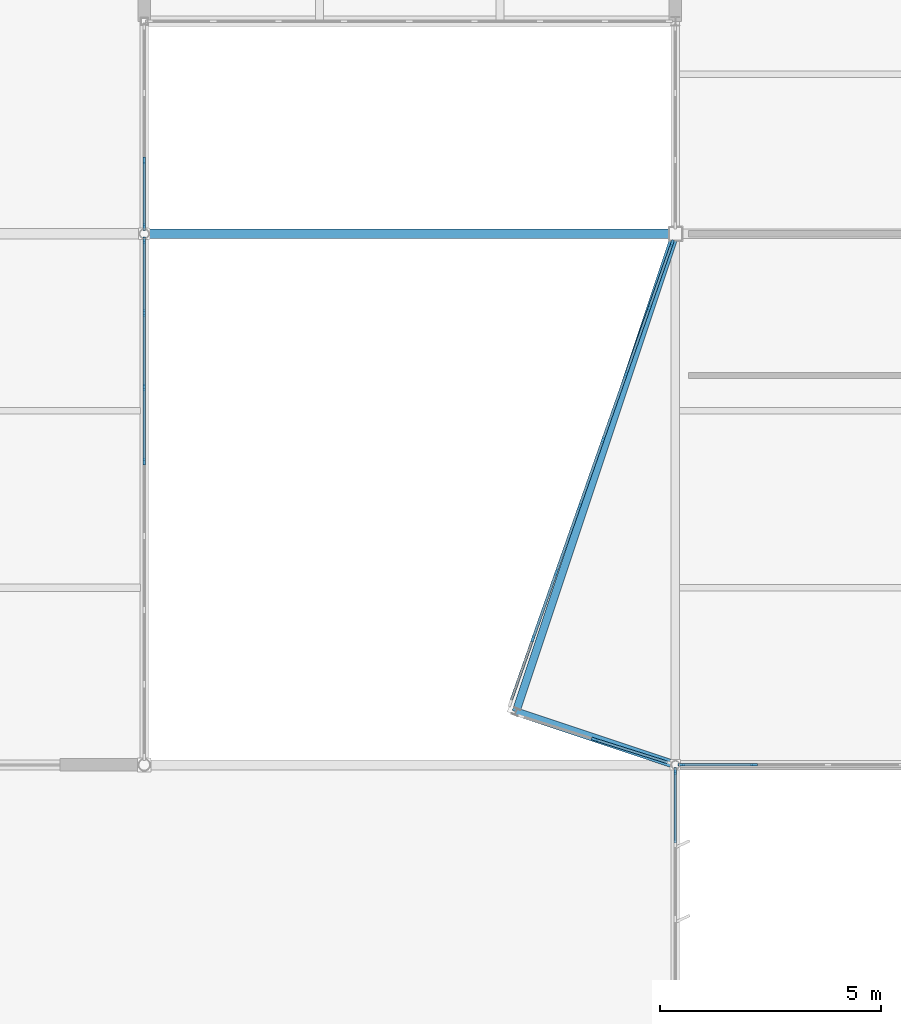
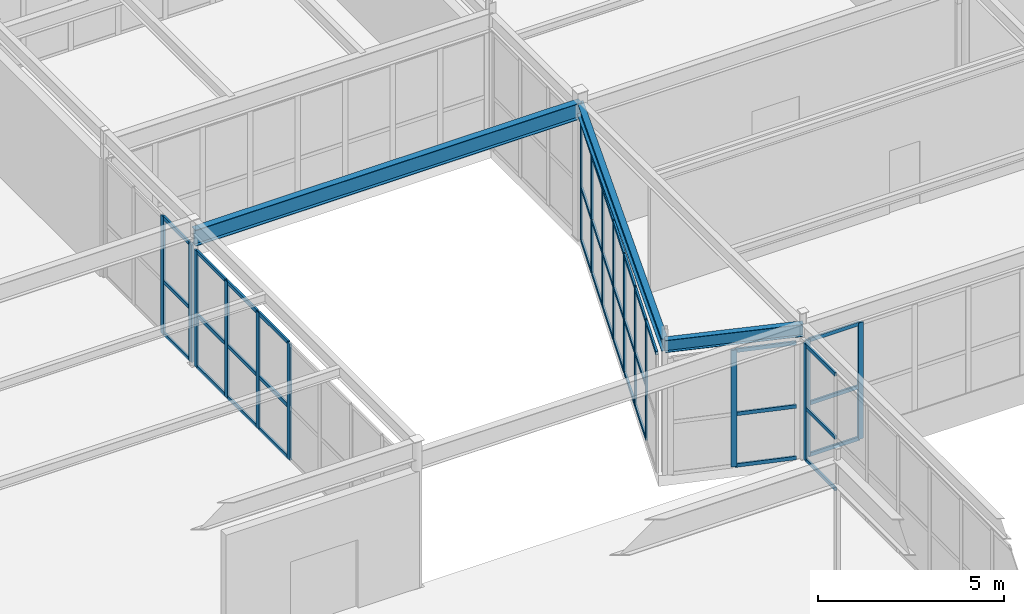
# One storey, part 100 of 186: 57 members, 3 beams, 6 elements without a shape of their own.
"""IFC4 building model written with IfcOpenShell, lengths in metres."""

import ifcopenshell
import ifcopenshell.guid

model = None  # the IFC model being written
_history = None  # IfcOwnerHistory: only IFC2X3 demands one
_inside = {}  # id of a spatial element -> (the spatial element, [elements in it])
_under = {}  # id of a project, library or spatial element -> (it, [spatial elements below it])
_declared = {}  # id of a project -> (the project, [libraries it declares])
_typed = {}  # id of a type object -> (the type object, [elements of that type])
_made_of = {}  # id of a material, layer set ... -> (it, [elements and type objects made of it])


def new_model(schema):
    """Start an empty IFC model of exactly this schema.

    Asked for "IFC4X3", IfcOpenShell would pick the latest addendum, in which some entities
    have other attributes; the version numbers below select the first issue.
    IFC2X3 requires an IfcOwnerHistory on every rooted entity: one is made here for all.
    """
    global model, _history
    if schema == "IFC4X3":
        model = ifcopenshell.file(schema_version=(4, 3, 0, 0))
    else:
        model = ifcopenshell.file(schema=schema)
    _inside.clear()
    _under.clear()
    _declared.clear()
    _typed.clear()
    _made_of.clear()
    _history = None
    if model.schema == "IFC2X3":
        org = make("IfcOrganization", Name="unknown")
        user = make(
            "IfcPersonAndOrganization",
            ThePerson=make("IfcPerson", FamilyName="unknown"),
            TheOrganization=org,
        )
        app = make(
            "IfcApplication",
            ApplicationDeveloper=org,
            Version="unknown",
            ApplicationFullName="unknown",
            ApplicationIdentifier="unknown",
        )
        _history = make(
            "IfcOwnerHistory",
            OwningUser=user,
            OwningApplication=app,
            ChangeAction="ADDED",
            CreationDate=0,
        )
    return model


def make(cls, **values):
    """One entity of the class cls with the attributes given. An attribute that is None is left unset."""
    return model.create_entity(
        cls, **{name: value for name, value in values.items() if value is not None}
    )


def rooted(cls, **values):
    """An entity with a GlobalId (a new one), such as an element, a storey or a relation."""
    return make(cls, GlobalId=ifcopenshell.guid.new(), OwnerHistory=_history, **values)


def si_unit(unit_type, name, prefix=None):
    """IfcSIUnit, for example si_unit("LENGTHUNIT", "METRE", prefix="MILLI")."""
    return make("IfcSIUnit", UnitType=unit_type, Prefix=prefix, Name=name)


def assignment(units):
    """IfcUnitAssignment: the units of a project."""
    return None if units is None else make("IfcUnitAssignment", Units=units)


def point(xyz):
    """IfcCartesianPoint."""
    return None if xyz is None else make("IfcCartesianPoint", Coordinates=xyz)


def direction(xyz):
    """IfcDirection."""
    return None if xyz is None else make("IfcDirection", DirectionRatios=xyz)


def frame(location, z_axis=None, x_axis=None):
    """IfcAxis2Placement3D, a coordinate frame: its origin and axes. An axis left out is left unset."""
    return make(
        "IfcAxis2Placement3D",
        Location=point(location),
        Axis=direction(z_axis),
        RefDirection=direction(x_axis),
    )


def frame_2d(location, x_axis=None):
    """IfcAxis2Placement2D, a coordinate frame in the plane: its origin and x axis."""
    return make(
        "IfcAxis2Placement2D", Location=point(location), RefDirection=direction(x_axis)
    )


def origin():
    """The frame at (0, 0, 0) with its axes left unset."""
    return frame((0.0, 0.0, 0.0))


def origin_2d():
    """The frame at (0, 0) in the plane with its x axis left unset."""
    return frame_2d((0.0, 0.0))


def place(relative_to, where):
    """IfcLocalPlacement: puts the frame where relative to a parent placement (None: the world)."""
    return make(
        "IfcLocalPlacement", PlacementRelTo=relative_to, RelativePlacement=where
    )


def context(
    kind, dimensions, precision=None, world=None, true_north=None, identifier=None
):
    """IfcGeometricRepresentationContext, for example the 3D "Model" context."""
    return make(
        "IfcGeometricRepresentationContext",
        ContextIdentifier=identifier,
        ContextType=kind,
        CoordinateSpaceDimension=dimensions,
        Precision=precision,
        WorldCoordinateSystem=world,
        TrueNorth=true_north,
    )


def subcontext(parent, identifier, kind, view, scale=None):
    """IfcGeometricRepresentationSubContext, for example "Body" below "Model"."""
    return make(
        "IfcGeometricRepresentationSubContext",
        ContextIdentifier=identifier,
        ContextType=kind,
        ParentContext=parent,
        TargetScale=scale,
        TargetView=view,
    )


def project(units=None, contexts=None):
    """IfcProject with its units and contexts."""
    return rooted(
        "IfcProject",
        Name="project",
        RepresentationContexts=contexts,
        UnitsInContext=assignment(units),
    )


def spatial(cls, under=None, at=None, **own):
    """A site, building, storey or space (cls), placed at a placement, below another one or the project."""
    s = rooted(cls, ObjectPlacement=at, **own)
    if under is not None:
        _under.setdefault(under.id(), (under, []))[1].append(s)
    return s


def profile(cls, at=None, kind="AREA", **sizes):
    """A parametric profile (cls). Its sizes go by their IFC names, for example OverallWidth=200.0."""
    return make(cls, ProfileType=kind, Position=at, **sizes)


def rectangle(**sizes):
    """IfcRectangleProfileDef."""
    return profile("IfcRectangleProfileDef", **sizes)


def i_section(**sizes):
    """IfcIShapeProfileDef."""
    return profile("IfcIShapeProfileDef", **sizes)


def extrude(swept, where, along, depth):
    """IfcExtrudedAreaSolid: the profile swept, set in the frame where, extruded along a direction by depth."""
    return make(
        "IfcExtrudedAreaSolid",
        SweptArea=swept,
        Position=where,
        ExtrudedDirection=direction(along),
        Depth=depth,
    )


def shape(context_of_items, identifier, shape_type, items):
    """IfcShapeRepresentation: the items that make up one representation, for example the "Body"."""
    return make(
        "IfcShapeRepresentation",
        ContextOfItems=context_of_items,
        RepresentationIdentifier=identifier,
        RepresentationType=shape_type,
        Items=items,
    )


def material(Name=None, Category=None):
    """IfcMaterial."""
    return make("IfcMaterial", Name=Name, Category=Category)


def layer(
    of_material, thickness, ventilated=None, Name=None, Category=None, Priority=None
):
    """IfcMaterialLayer: one layer of a wall or slab, of a material (None: an air gap)."""
    return make(
        "IfcMaterialLayer",
        Material=of_material,
        LayerThickness=thickness,
        IsVentilated=ventilated,
        Name=Name,
        Category=Category,
        Priority=Priority,
    )


def layer_set(layers, Name=None):
    """IfcMaterialLayerSet."""
    return make("IfcMaterialLayerSet", MaterialLayers=layers, LayerSetName=Name)


def material_profile(
    of_material, cross_section, Name=None, Category=None, Priority=None
):
    """IfcMaterialProfile: a cross section and its material."""
    return make(
        "IfcMaterialProfile",
        Name=Name,
        Material=of_material,
        Profile=cross_section,
        Priority=Priority,
        Category=Category,
    )


def profile_set(profiles, Name=None, composite=None):
    """IfcMaterialProfileSet."""
    return make(
        "IfcMaterialProfileSet",
        Name=Name,
        MaterialProfiles=profiles,
        CompositeProfile=composite,
    )


def made_of(thing, what):
    """Note that an element or type object is made of a material, layer set ...; save() writes the relation."""
    if what is not None:
        _made_of.setdefault(what.id(), (what, []))[1].append(thing)
    return thing


def type_object(cls, material=None, **own):
    """A type object (cls), such as IfcWallType, which elements share."""
    return made_of(rooted(cls, **own), material)


def element(
    cls,
    number,
    at=None,
    inside=None,
    cuts=None,
    type_object=None,
    material=None,
    context=None,
    identifier="Body",
    shape_type=None,
    held_by="IfcProductDefinitionShape",
    body=None,
    shapes=None,
    **own,
):
    """One element of the class cls, such as IfcWall. Its Tag is "e" and its number.

    at: its placement. inside: the storey or other place that contains it. cuts: it is an
    opening in that element (IfcRelVoidsElement). A single representation is given by context,
    identifier, shape_type and body (its items); several are given by shapes. held_by: the class
    of the entity that holds the representations. save() writes the other relations.
    """
    e = rooted(cls, Tag="e%d" % number, ObjectPlacement=at, **own)
    if body is not None:
        shapes = [shape(context, identifier, shape_type, body)]
    if shapes is not None:
        e.Representation = make(held_by, Representations=shapes)
    if inside is not None:
        _inside.setdefault(inside.id(), (inside, []))[1].append(e)
    if cuts is not None:
        rooted(
            "IfcRelVoidsElement", RelatingBuildingElement=cuts, RelatedOpeningElement=e
        )
    if type_object is not None:
        _typed.setdefault(type_object.id(), (type_object, []))[1].append(e)
    return made_of(e, material)


def aggregate(whole, parts):
    """IfcRelAggregates: a whole, such as a stair, and the parts it consists of."""
    return rooted("IfcRelAggregates", RelatingObject=whole, RelatedObjects=parts)


def save(model, path):
    """Write the relations noted so far, then the file.

    IfcRelAggregates (storeys below a building ...), IfcRelContainedInSpatialStructure (elements
    in a storey), IfcRelDefinesByType, IfcRelAssociatesMaterial and IfcRelDeclares: one each for
    every whole, place, type object, material and project.
    """
    for whole, parts in _under.values():
        aggregate(whole, parts)
    for where, things in _inside.values():
        rooted(
            "IfcRelContainedInSpatialStructure",
            RelatedElements=things,
            RelatingStructure=where,
        )
    for kind, things in _typed.values():
        rooted("IfcRelDefinesByType", RelatedObjects=things, RelatingType=kind)
    for what, things in _made_of.values():
        rooted("IfcRelAssociatesMaterial", RelatedObjects=things, RelatingMaterial=what)
    for by, libraries in _declared.values():
        rooted("IfcRelDeclares", RelatingContext=by, RelatedDefinitions=libraries)
    model.write(path)


model = new_model("IFC4")

# Units and contexts
model_context = context("Model", 3, precision=1e-05, world=origin(), true_north=direction((0.0, 1.0)))
body_context = subcontext(model_context, "Body", "Model", "MODEL_VIEW")
ifc_project = project(units=[si_unit("LENGTHUNIT", "METRE"), si_unit("AREAUNIT", "SQUARE_METRE"), si_unit("VOLUMEUNIT", "CUBIC_METRE"), si_unit("PLANEANGLEUNIT", "RADIAN"), si_unit("MASSUNIT", "GRAM", prefix="KILO")], contexts=[model_context])

# Site, building, storey
site_placement = place(None, origin())
site = spatial("IfcSite", under=ifc_project, at=site_placement, CompositionType="ELEMENT")
building_placement = place(site_placement, origin())
building = spatial("IfcBuilding", under=site, at=building_placement, Name="Tarnwether General Hospital", CompositionType="ELEMENT")
storey_placement = place(building_placement, frame((0.0, 0.0, 9.60009765625)))
storey = spatial("IfcBuildingStorey", under=building, at=storey_placement, Name="L02", CompositionType="ELEMENT", Elevation=9.60009765625)

# Beams
ifc_material_1 = material(Name="Steel Grade 350 (350 MPa)", Category="steel")
ifc_material_profile_1 = material_profile(ifc_material_1, i_section(OverallWidth=0.208984375, OverallDepth=0.532958984375, WebThickness=0.01025390625, FlangeThickness=0.015625, at=origin_2d()), Name="530UB92.4")
ifc_profile_set_1 = profile_set([ifc_material_profile_1], Name="Steel Grade 350 (350 MPa)")
beam_type_1 = type_object("IfcBeamType", Name="BM-G06", PredefinedType="BEAM", material=ifc_profile_set_1)
beam_1_placement = place(storey_placement, frame((132.0, 93.60009765625, 4.178466796875), z_axis=(1.0, 0.0, 0.0), x_axis=(0.0, 1.0, 0.0)))
element("IfcBeam", 1, at=beam_1_placement, inside=storey, type_object=beam_type_1, Name="Primary Girder BMG-L02-13200_9360-14400_9360-1560", PredefinedType="BEAM", context=body_context, shape_type="SweptSolid", body=[
    extrude(i_section(OverallWidth=0.208984375, OverallDepth=0.532958984375, WebThickness=0.01025390625, FlangeThickness=0.015625, at=origin_2d()), origin(), (0.0, 0.0, 1.0), 12.0),
])
ifc_material_2 = material(Name="Steel Grade 350 (350 MPa)", Category="steel")
ifc_material_profile_2 = material_profile(ifc_material_2, i_section(OverallWidth=0.177978515625, OverallDepth=0.403076171875, WebThickness=0.007568359375, FlangeThickness=0.010986328125, at=origin_2d()), Name="410UB53.7")
ifc_profile_set_2 = profile_set([ifc_material_profile_2], Name="Steel Grade 350 (350 MPa)")
beam_type_2 = type_object("IfcBeamType", Name="BM-SP2", PredefinedType="SPANDREL", material=ifc_profile_set_2)
beam_2_placement = place(storey_placement, frame((144.0, 81.60009765625, 4.228515625), z_axis=(-0.948689731394, 0.316208465333, 0.0), x_axis=(-0.316208465333, -0.948689731394, 0.0)))
element("IfcBeam", 2, at=beam_2_placement, inside=storey, type_object=beam_type_2, Name="Forecourt North Shard Tie BMG-L02-14400_8160-14040_8280-2234", PredefinedType="SPANDREL", context=body_context, shape_type="SweptSolid", body=[
    extrude(i_section(OverallWidth=0.177978515625, OverallDepth=0.403076171875, WebThickness=0.007568359375, FlangeThickness=0.010986328125, at=origin_2d()), origin(), (0.0, 0.0, 1.0), 3.794921875),
])
beam_3_placement = place(storey_placement, frame((140.39990234375, 82.800048828125, 4.228515625), z_axis=(0.316234199636, 0.948681153486, 0.0), x_axis=(-0.948681153486, 0.316234199636, 0.0)))
element("IfcBeam", 3, at=beam_3_placement, inside=storey, type_object=beam_type_2, Name="Forecourt North Shard Girder BMG-L02-14040_8280-14400_9360-2235", PredefinedType="SPANDREL", context=body_context, shape_type="SweptSolid", body=[
    extrude(i_section(OverallWidth=0.177978515625, OverallDepth=0.403076171875, WebThickness=0.007568359375, FlangeThickness=0.010986328125, at=origin_2d()), origin(), (0.0, 0.0, 1.0), 11.38427734375),
])

# Curtain wall, member
ifc_material_3 = material(Name="Anodised aluminium", Category="aluminium")
ifc_layer_1 = layer(ifc_material_3, 0.179931640625)
ifc_layer_set_1 = layer_set([ifc_layer_1], Name="Anodised aluminium")
curtain_wall_type_1 = type_object("IfcCurtainWallType", Name="CW-06", PredefinedType="NOTDEFINED", material=ifc_layer_set_1)
curtain_wall_1_placement = place(storey_placement, origin())
curtain_wall_1 = element("IfcCurtainWall", 4, at=curtain_wall_1_placement, inside=storey, type_object=curtain_wall_type_1, Name="Curtain Wall CWG-L02-1440_815-0416", PredefinedType="NOTDEFINED")
ifc_material_4 = material(Name="Anodised aluminium", Category="aluminium")
ifc_material_profile_3 = material_profile(ifc_material_4, rectangle(XDim=0.06005859375, YDim=0.159912109375, at=origin_2d()), Name="ALU-MUL-60x160")
ifc_profile_set_3 = profile_set([ifc_material_profile_3], Name="Anodised aluminium")
member_type_1 = type_object("IfcMemberType", Name="CW-ML1", PredefinedType="MULLION", material=ifc_profile_set_3)
member_1_placement = place(storey_placement, frame((144.0, 81.465087890625, 0.0), z_axis=(0.0, 0.0, 1.0), x_axis=(1.0, 0.0, 0.0)))
member_1 = element("IfcMember", 5, at=member_1_placement, type_object=member_type_1, Name="CW-06 mullion 1", PredefinedType="MULLION", context=body_context, shape_type="SweptSolid", body=[
    extrude(rectangle(XDim=0.06005859375, YDim=0.159912109375, at=origin_2d()), origin(), (0.0, 0.0, 1.0), 3.827880859375),
])

# Curtain wall, members
ifc_material_5 = material(Name="Anodised aluminium", Category="aluminium")
ifc_layer_2 = layer(ifc_material_5, 0.159912109375)
ifc_layer_set_2 = layer_set([ifc_layer_2], Name="Anodised aluminium")
curtain_wall_type_2 = type_object("IfcCurtainWallType", Name="CW-15", PredefinedType="NOTDEFINED", material=ifc_layer_set_2)
curtain_wall_2_placement = place(storey_placement, origin())
curtain_wall_2 = element("IfcCurtainWall", 6, at=curtain_wall_2_placement, inside=storey, type_object=curtain_wall_type_2, Name="Curtain Wall CWG-L02-1320_983-0443", PredefinedType="NOTDEFINED")
member_2_placement = place(storey_placement, frame((132.0, 95.2509765625, 0.0), z_axis=(0.0, 0.0, 1.0), x_axis=(1.0, 0.0, 0.0)))
member_2 = element("IfcMember", 7, at=member_2_placement, type_object=member_type_1, Name="CW-15 mullion 3", PredefinedType="MULLION", context=body_context, shape_type="SweptSolid", body=[
    extrude(rectangle(XDim=0.06005859375, YDim=0.159912109375, at=origin_2d()), origin(), (0.0, 0.0, 1.0), 3.86279296875),
])
member_3_placement = place(storey_placement, frame((132.0, 93.748046875, 0.0), z_axis=(0.0, 0.0, 1.0), x_axis=(1.0, 0.0, 0.0)))
member_3 = element("IfcMember", 8, at=member_3_placement, type_object=member_type_1, Name="CW-15 mullion 4", PredefinedType="MULLION", context=body_context, shape_type="SweptSolid", body=[
    extrude(rectangle(XDim=0.06005859375, YDim=0.159912109375, at=origin_2d()), origin(), (0.0, 0.0, 1.0), 3.86279296875),
])

curtain_wall_3_placement = place(storey_placement, origin())
curtain_wall_3 = element("IfcCurtainWall", 9, at=curtain_wall_3_placement, inside=storey, type_object=curtain_wall_type_2, Name="Curtain Wall CWG-L02-1320_935-0444", PredefinedType="NOTDEFINED")
member_4_placement = place(storey_placement, frame((132.0, 93.451904296875, 0.0), z_axis=(0.0, 0.0, 1.0), x_axis=(1.0, 0.0, 0.0)))
member_4 = element("IfcMember", 10, at=member_4_placement, type_object=member_type_1, Name="CW-15 mullion 1", PredefinedType="MULLION", context=body_context, shape_type="SweptSolid", body=[
    extrude(rectangle(XDim=0.06005859375, YDim=0.159912109375, at=origin_2d()), origin(), (0.0, 0.0, 1.0), 3.827880859375),
])
member_5_placement = place(storey_placement, frame((132.0, 91.80517578125, 0.0), z_axis=(0.0, 0.0, 1.0), x_axis=(1.0, 0.0, 0.0)))
member_5 = element("IfcMember", 11, at=member_5_placement, type_object=member_type_1, Name="CW-15 mullion 2", PredefinedType="MULLION", context=body_context, shape_type="SweptSolid", body=[
    extrude(rectangle(XDim=0.06005859375, YDim=0.159912109375, at=origin_2d()), origin(), (0.0, 0.0, 1.0), 3.827880859375),
])
member_6_placement = place(storey_placement, frame((132.0, 90.128662109375, 0.0), z_axis=(0.0, 0.0, 1.0), x_axis=(1.0, 0.0, 0.0)))
member_6 = element("IfcMember", 12, at=member_6_placement, type_object=member_type_1, Name="CW-15 mullion 3", PredefinedType="MULLION", context=body_context, shape_type="SweptSolid", body=[
    extrude(rectangle(XDim=0.06005859375, YDim=0.159912109375, at=origin_2d()), origin(), (0.0, 0.0, 1.0), 3.827880859375),
])
member_7_placement = place(storey_placement, frame((132.0, 88.451904296875, 0.0), z_axis=(0.0, 0.0, 1.0), x_axis=(1.0, 0.0, 0.0)))
member_7 = element("IfcMember", 13, at=member_7_placement, type_object=member_type_1, Name="CW-15 mullion 4", PredefinedType="MULLION", context=body_context, shape_type="SweptSolid", body=[
    extrude(rectangle(XDim=0.06005859375, YDim=0.159912109375, at=origin_2d()), origin(), (0.0, 0.0, 1.0), 3.827880859375),
])

# Curtain wall, member
curtain_wall_4_placement = place(storey_placement, origin())
curtain_wall_4 = element("IfcCurtainWall", 14, at=curtain_wall_4_placement, inside=storey, type_object=curtain_wall_type_2, Name="Curtain Wall CWG-L02-1439_816-0445", PredefinedType="NOTDEFINED")
member_8_placement = place(storey_placement, frame((142.178955078125, 82.175048828125, 0.0), z_axis=(0.0, 0.0, 1.0), x_axis=(-0.301185152538, -0.953565678855, 0.0)))
member_8 = element("IfcMember", 15, at=member_8_placement, type_object=member_type_1, Name="CW-15 mullion 2", PredefinedType="MULLION", context=body_context, shape_type="SweptSolid", body=[
    extrude(rectangle(XDim=0.06005859375, YDim=0.159912109375, at=origin_2d()), origin(), (0.0, 0.0, 1.0), 3.827880859375),
])

# Curtain wall, members
curtain_wall_5_placement = place(storey_placement, origin())
curtain_wall_5 = element("IfcCurtainWall", 16, at=curtain_wall_5_placement, inside=storey, type_object=curtain_wall_type_2, Name="Curtain Wall CWG-L02-1403_830-0446", PredefinedType="NOTDEFINED")
member_9_placement = place(storey_placement, frame((140.783203125, 84.45654296875, 0.0), z_axis=(0.0, 0.0, 1.0), x_axis=(-0.943316578617, 0.33189430924, 0.0)))
member_9 = element("IfcMember", 17, at=member_9_placement, type_object=member_type_1, Name="CW-15 mullion 2", PredefinedType="MULLION", context=body_context, shape_type="SweptSolid", body=[
    extrude(rectangle(XDim=0.06005859375, YDim=0.159912109375, at=origin_2d()), origin(), (0.0, 0.0, 1.0), 3.89697265625),
])
member_10_placement = place(storey_placement, frame((141.308349609375, 85.94921875, 0.0), z_axis=(0.0, 0.0, 1.0), x_axis=(-0.943316578617, 0.33189430924, 0.0)))
member_10 = element("IfcMember", 18, at=member_10_placement, type_object=member_type_1, Name="CW-15 mullion 3", PredefinedType="MULLION", context=body_context, shape_type="SweptSolid", body=[
    extrude(rectangle(XDim=0.06005859375, YDim=0.159912109375, at=origin_2d()), origin(), (0.0, 0.0, 1.0), 3.89697265625),
])
member_11_placement = place(storey_placement, frame((141.83349609375, 87.441650390625, 0.0), z_axis=(0.0, 0.0, 1.0), x_axis=(-0.943316578617, 0.33189430924, 0.0)))
member_11 = element("IfcMember", 19, at=member_11_placement, type_object=member_type_1, Name="CW-15 mullion 4", PredefinedType="MULLION", context=body_context, shape_type="SweptSolid", body=[
    extrude(rectangle(XDim=0.06005859375, YDim=0.159912109375, at=origin_2d()), origin(), (0.0, 0.0, 1.0), 3.89697265625),
])
member_12_placement = place(storey_placement, frame((142.358642578125, 88.934326171875, 0.0), z_axis=(0.0, 0.0, 1.0), x_axis=(-0.943316578617, 0.33189430924, 0.0)))
member_12 = element("IfcMember", 20, at=member_12_placement, type_object=member_type_1, Name="CW-15 mullion 5", PredefinedType="MULLION", context=body_context, shape_type="SweptSolid", body=[
    extrude(rectangle(XDim=0.06005859375, YDim=0.159912109375, at=origin_2d()), origin(), (0.0, 0.0, 1.0), 3.89697265625),
])
member_13_placement = place(storey_placement, frame((142.8837890625, 90.4267578125, 0.0), z_axis=(0.0, 0.0, 1.0), x_axis=(-0.943316578617, 0.33189430924, 0.0)))
member_13 = element("IfcMember", 21, at=member_13_placement, type_object=member_type_1, Name="CW-15 mullion 6", PredefinedType="MULLION", context=body_context, shape_type="SweptSolid", body=[
    extrude(rectangle(XDim=0.06005859375, YDim=0.159912109375, at=origin_2d()), origin(), (0.0, 0.0, 1.0), 3.89697265625),
])
member_14_placement = place(storey_placement, frame((143.408935546875, 91.91943359375, 0.0), z_axis=(0.0, 0.0, 1.0), x_axis=(-0.943316578617, 0.33189430924, 0.0)))
member_14 = element("IfcMember", 22, at=member_14_placement, type_object=member_type_1, Name="CW-15 mullion 7", PredefinedType="MULLION", context=body_context, shape_type="SweptSolid", body=[
    extrude(rectangle(XDim=0.06005859375, YDim=0.159912109375, at=origin_2d()), origin(), (0.0, 0.0, 1.0), 3.89697265625),
])
member_15_placement = place(storey_placement, frame((143.924072265625, 93.3837890625, 0.0), z_axis=(0.0, 0.0, 1.0), x_axis=(-0.943316578617, 0.33189430924, 0.0)))
member_15 = element("IfcMember", 23, at=member_15_placement, type_object=member_type_1, Name="CW-15 mullion 8", PredefinedType="MULLION", context=body_context, shape_type="SweptSolid", body=[
    extrude(rectangle(XDim=0.06005859375, YDim=0.159912109375, at=origin_2d()), origin(), (0.0, 0.0, 1.0), 3.89697265625),
])

ifc_material_6 = material(Name="Anodised aluminium", Category="aluminium")
ifc_layer_3 = layer(ifc_material_6, 0.159912109375)
ifc_layer_set_3 = layer_set([ifc_layer_3], Name="Anodised aluminium")
curtain_wall_type_3 = type_object("IfcCurtainWallType", Name="CW-17", PredefinedType="NOTDEFINED", material=ifc_layer_set_3)
curtain_wall_6_placement = place(storey_placement, origin())
curtain_wall_6 = element("IfcCurtainWall", 24, at=curtain_wall_6_placement, inside=storey, type_object=curtain_wall_type_3, Name="Curtain Wall CWG-L02-1558_816-0469", PredefinedType="NOTDEFINED")
member_16_placement = place(storey_placement, frame((145.77783203125, 81.60009765625, 0.0), z_axis=(0.0, 0.0, 1.0), x_axis=(0.0, -1.0, 0.0)))
member_16 = element("IfcMember", 25, at=member_16_placement, type_object=member_type_1, Name="CW-17 mullion 7", PredefinedType="MULLION", context=body_context, shape_type="SweptSolid", body=[
    extrude(rectangle(XDim=0.06005859375, YDim=0.159912109375, at=origin_2d()), origin(), (0.0, 0.0, 1.0), 3.827880859375),
])
member_17_placement = place(storey_placement, frame((144.135009765625, 81.60009765625, 0.0), z_axis=(0.0, 0.0, 1.0), x_axis=(0.0, -1.0, 0.0)))
member_17 = element("IfcMember", 26, at=member_17_placement, type_object=member_type_1, Name="CW-17 mullion 8", PredefinedType="MULLION", context=body_context, shape_type="SweptSolid", body=[
    extrude(rectangle(XDim=0.06005859375, YDim=0.159912109375, at=origin_2d()), origin(), (0.0, 0.0, 1.0), 3.827880859375),
])

# Member
ifc_material_7 = material(Name="Anodised aluminium", Category="aluminium")
ifc_material_profile_4 = material_profile(ifc_material_7, rectangle(XDim=0.06005859375, YDim=0.1201171875, at=origin_2d()), Name="ALU-TRN-60x120")
ifc_profile_set_4 = profile_set([ifc_material_profile_4], Name="Anodised aluminium")
member_type_2 = type_object("IfcMemberType", Name="CW-TR1", PredefinedType="USERDEFINED", material=ifc_profile_set_4)
member_18_placement = place(storey_placement, frame((144.0, 81.43505859375, 0.02978515625), z_axis=(0.0, -1.0, 0.0), x_axis=(1.0, 0.0, 0.0)))
member_18 = element("IfcMember", 27, at=member_18_placement, type_object=member_type_2, Name="CW-06 transom 1.1", ObjectType="TRANSOM", PredefinedType="USERDEFINED", context=body_context, shape_type="SweptSolid", body=[
    extrude(rectangle(XDim=0.06005859375, YDim=0.1201171875, at=origin_2d()), origin(), (0.0, 0.0, 1.0), 1.5966796875),
])

member_19_placement = place(storey_placement, frame((144.0, 81.43505859375, 1.722412109375), z_axis=(0.0, -1.0, 0.0), x_axis=(1.0, 0.0, 0.0)))
member_19 = element("IfcMember", 28, at=member_19_placement, type_object=member_type_2, Name="CW-06 transom 1.2", ObjectType="TRANSOM", PredefinedType="USERDEFINED", context=body_context, shape_type="SweptSolid", body=[
    extrude(rectangle(XDim=0.06005859375, YDim=0.1201171875, at=origin_2d()), origin(), (0.0, 0.0, 1.0), 1.5966796875),
])

member_20_placement = place(storey_placement, frame((144.0, 81.43505859375, 3.7978515625), z_axis=(0.0, -1.0, 0.0), x_axis=(1.0, 0.0, 0.0)))
member_20 = element("IfcMember", 29, at=member_20_placement, type_object=member_type_2, Name="CW-06 transom 1.3", ObjectType="TRANSOM", PredefinedType="USERDEFINED", context=body_context, shape_type="SweptSolid", body=[
    extrude(rectangle(XDim=0.06005859375, YDim=0.1201171875, at=origin_2d()), origin(), (0.0, 0.0, 1.0), 1.5966796875),
])

aggregate(curtain_wall_1, [member_1, member_18, member_19, member_20])

member_21_placement = place(storey_placement, frame((132.0, 95.220947265625, 0.02978515625), z_axis=(0.0, -1.0, 0.0), x_axis=(1.0, 0.0, 0.0)))
member_21 = element("IfcMember", 30, at=member_21_placement, type_object=member_type_2, Name="CW-15 transom 3.1", ObjectType="TRANSOM", PredefinedType="USERDEFINED", context=body_context, shape_type="SweptSolid", body=[
    extrude(rectangle(XDim=0.06005859375, YDim=0.1201171875, at=origin_2d()), origin(), (0.0, 0.0, 1.0), 1.44287109375),
])

member_22_placement = place(storey_placement, frame((132.0, 95.220947265625, 1.73828125), z_axis=(0.0, -1.0, 0.0), x_axis=(1.0, 0.0, 0.0)))
member_22 = element("IfcMember", 31, at=member_22_placement, type_object=member_type_2, Name="CW-15 transom 3.2", ObjectType="TRANSOM", PredefinedType="USERDEFINED", context=body_context, shape_type="SweptSolid", body=[
    extrude(rectangle(XDim=0.06005859375, YDim=0.1201171875, at=origin_2d()), origin(), (0.0, 0.0, 1.0), 1.44287109375),
])

member_23_placement = place(storey_placement, frame((132.0, 95.220947265625, 3.8330078125), z_axis=(0.0, -1.0, 0.0), x_axis=(1.0, 0.0, 0.0)))
member_23 = element("IfcMember", 32, at=member_23_placement, type_object=member_type_2, Name="CW-15 transom 3.3", ObjectType="TRANSOM", PredefinedType="USERDEFINED", context=body_context, shape_type="SweptSolid", body=[
    extrude(rectangle(XDim=0.06005859375, YDim=0.1201171875, at=origin_2d()), origin(), (0.0, 0.0, 1.0), 1.44287109375),
])

aggregate(curtain_wall_2, [member_2, member_3, member_21, member_22, member_23])

member_24_placement = place(storey_placement, frame((132.0, 93.422119140625, 0.02978515625), z_axis=(0.0, -1.0, 0.0), x_axis=(1.0, 0.0, 0.0)))
member_24 = element("IfcMember", 33, at=member_24_placement, type_object=member_type_2, Name="CW-15 transom 1.1", ObjectType="TRANSOM", PredefinedType="USERDEFINED", context=body_context, shape_type="SweptSolid", body=[
    extrude(rectangle(XDim=0.06005859375, YDim=0.1201171875, at=origin_2d()), origin(), (0.0, 0.0, 1.0), 1.5869140625),
])

member_25_placement = place(storey_placement, frame((132.0, 93.422119140625, 1.722412109375), z_axis=(0.0, -1.0, 0.0), x_axis=(1.0, 0.0, 0.0)))
member_25 = element("IfcMember", 34, at=member_25_placement, type_object=member_type_2, Name="CW-15 transom 1.2", ObjectType="TRANSOM", PredefinedType="USERDEFINED", context=body_context, shape_type="SweptSolid", body=[
    extrude(rectangle(XDim=0.06005859375, YDim=0.1201171875, at=origin_2d()), origin(), (0.0, 0.0, 1.0), 1.5869140625),
])

member_26_placement = place(storey_placement, frame((132.0, 93.422119140625, 3.7978515625), z_axis=(0.0, -1.0, 0.0), x_axis=(1.0, 0.0, 0.0)))
member_26 = element("IfcMember", 35, at=member_26_placement, type_object=member_type_2, Name="CW-15 transom 1.3", ObjectType="TRANSOM", PredefinedType="USERDEFINED", context=body_context, shape_type="SweptSolid", body=[
    extrude(rectangle(XDim=0.06005859375, YDim=0.1201171875, at=origin_2d()), origin(), (0.0, 0.0, 1.0), 1.5869140625),
])

member_27_placement = place(storey_placement, frame((132.0, 91.775390625, 0.02978515625), z_axis=(0.0, -1.0, 0.0), x_axis=(1.0, 0.0, 0.0)))
member_27 = element("IfcMember", 36, at=member_27_placement, type_object=member_type_2, Name="CW-15 transom 2.1", ObjectType="TRANSOM", PredefinedType="USERDEFINED", context=body_context, shape_type="SweptSolid", body=[
    extrude(rectangle(XDim=0.06005859375, YDim=0.1201171875, at=origin_2d()), origin(), (0.0, 0.0, 1.0), 1.61669921875),
])

member_28_placement = place(storey_placement, frame((132.0, 91.775390625, 1.722412109375), z_axis=(0.0, -1.0, 0.0), x_axis=(1.0, 0.0, 0.0)))
member_28 = element("IfcMember", 37, at=member_28_placement, type_object=member_type_2, Name="CW-15 transom 2.2", ObjectType="TRANSOM", PredefinedType="USERDEFINED", context=body_context, shape_type="SweptSolid", body=[
    extrude(rectangle(XDim=0.06005859375, YDim=0.1201171875, at=origin_2d()), origin(), (0.0, 0.0, 1.0), 1.61669921875),
])

member_29_placement = place(storey_placement, frame((132.0, 91.775390625, 3.7978515625), z_axis=(0.0, -1.0, 0.0), x_axis=(1.0, 0.0, 0.0)))
member_29 = element("IfcMember", 38, at=member_29_placement, type_object=member_type_2, Name="CW-15 transom 2.3", ObjectType="TRANSOM", PredefinedType="USERDEFINED", context=body_context, shape_type="SweptSolid", body=[
    extrude(rectangle(XDim=0.06005859375, YDim=0.1201171875, at=origin_2d()), origin(), (0.0, 0.0, 1.0), 1.61669921875),
])

member_30_placement = place(storey_placement, frame((132.0, 90.0986328125, 0.02978515625), z_axis=(0.0, -1.0, 0.0), x_axis=(1.0, 0.0, 0.0)))
member_30 = element("IfcMember", 39, at=member_30_placement, type_object=member_type_2, Name="CW-15 transom 3.1", ObjectType="TRANSOM", PredefinedType="USERDEFINED", context=body_context, shape_type="SweptSolid", body=[
    extrude(rectangle(XDim=0.06005859375, YDim=0.1201171875, at=origin_2d()), origin(), (0.0, 0.0, 1.0), 1.61669921875),
])

member_31_placement = place(storey_placement, frame((132.0, 90.0986328125, 1.722412109375), z_axis=(0.0, -1.0, 0.0), x_axis=(1.0, 0.0, 0.0)))
member_31 = element("IfcMember", 40, at=member_31_placement, type_object=member_type_2, Name="CW-15 transom 3.2", ObjectType="TRANSOM", PredefinedType="USERDEFINED", context=body_context, shape_type="SweptSolid", body=[
    extrude(rectangle(XDim=0.06005859375, YDim=0.1201171875, at=origin_2d()), origin(), (0.0, 0.0, 1.0), 1.61669921875),
])

member_32_placement = place(storey_placement, frame((132.0, 90.0986328125, 3.7978515625), z_axis=(0.0, -1.0, 0.0), x_axis=(1.0, 0.0, 0.0)))
member_32 = element("IfcMember", 41, at=member_32_placement, type_object=member_type_2, Name="CW-15 transom 3.3", ObjectType="TRANSOM", PredefinedType="USERDEFINED", context=body_context, shape_type="SweptSolid", body=[
    extrude(rectangle(XDim=0.06005859375, YDim=0.1201171875, at=origin_2d()), origin(), (0.0, 0.0, 1.0), 1.61669921875),
])

aggregate(curtain_wall_3, [member_4, member_5, member_6, member_7, member_24, member_25, member_26, member_27, member_28, member_29, member_30, member_31, member_32])

member_33_placement = place(storey_placement, frame((143.81884765625, 81.656982421875, 0.02978515625), z_axis=(-0.953549906463, 0.301235084087, 0.0), x_axis=(-0.301235084087, -0.953549906463, 0.0)))
member_33 = element("IfcMember", 42, at=member_33_placement, type_object=member_type_2, Name="CW-15 transom 1.1", ObjectType="TRANSOM", PredefinedType="USERDEFINED", context=body_context, shape_type="SweptSolid", body=[
    extrude(rectangle(XDim=0.06005859375, YDim=0.1201171875, at=origin_2d()), origin(), (0.0, 0.0, 1.0), 1.68994140625),
])

member_34_placement = place(storey_placement, frame((143.81884765625, 81.656982421875, 1.722412109375), z_axis=(-0.953549906463, 0.301235084087, 0.0), x_axis=(-0.301235084087, -0.953549906463, 0.0)))
member_34 = element("IfcMember", 43, at=member_34_placement, type_object=member_type_2, Name="CW-15 transom 1.2", ObjectType="TRANSOM", PredefinedType="USERDEFINED", context=body_context, shape_type="SweptSolid", body=[
    extrude(rectangle(XDim=0.06005859375, YDim=0.1201171875, at=origin_2d()), origin(), (0.0, 0.0, 1.0), 1.68994140625),
])

member_35_placement = place(storey_placement, frame((143.81884765625, 81.656982421875, 3.7978515625), z_axis=(-0.953549906463, 0.301235084087, 0.0), x_axis=(-0.301235084087, -0.953549906463, 0.0)))
member_35 = element("IfcMember", 44, at=member_35_placement, type_object=member_type_2, Name="CW-15 transom 1.3", ObjectType="TRANSOM", PredefinedType="USERDEFINED", context=body_context, shape_type="SweptSolid", body=[
    extrude(rectangle(XDim=0.06005859375, YDim=0.1201171875, at=origin_2d()), origin(), (0.0, 0.0, 1.0), 1.68994140625),
])

aggregate(curtain_wall_4, [member_8, member_33, member_34, member_35])

member_36_placement = place(storey_placement, frame((140.27783203125, 83.0205078125, 3.866943359375), z_axis=(0.331938561391, 0.943301007877, 0.0), x_axis=(-0.943301007877, 0.331938561391, 0.0)))
member_36 = element("IfcMember", 45, at=member_36_placement, type_object=member_type_2, Name="CW-15 transom 1.3", ObjectType="TRANSOM", PredefinedType="USERDEFINED", context=body_context, shape_type="SweptSolid", body=[
    extrude(rectangle(XDim=0.06005859375, YDim=0.1201171875, at=origin_2d()), origin(), (0.0, 0.0, 1.0), 1.492431640625),
])

member_37_placement = place(storey_placement, frame((140.793212890625, 84.48486328125, 0.02978515625), z_axis=(0.331821641195, 0.943342142828, 0.0), x_axis=(-0.943342142828, 0.331821641195, 0.0)))
member_37 = element("IfcMember", 46, at=member_37_placement, type_object=member_type_2, Name="CW-15 transom 2.1", ObjectType="TRANSOM", PredefinedType="USERDEFINED", context=body_context, shape_type="SweptSolid", body=[
    extrude(rectangle(XDim=0.06005859375, YDim=0.1201171875, at=origin_2d()), origin(), (0.0, 0.0, 1.0), 1.522216796875),
])

member_38_placement = place(storey_placement, frame((140.793212890625, 84.48486328125, 1.753662109375), z_axis=(0.331821641195, 0.943342142828, 0.0), x_axis=(-0.943342142828, 0.331821641195, 0.0)))
member_38 = element("IfcMember", 47, at=member_38_placement, type_object=member_type_2, Name="CW-15 transom 2.2", ObjectType="TRANSOM", PredefinedType="USERDEFINED", context=body_context, shape_type="SweptSolid", body=[
    extrude(rectangle(XDim=0.06005859375, YDim=0.1201171875, at=origin_2d()), origin(), (0.0, 0.0, 1.0), 1.522216796875),
])

member_39_placement = place(storey_placement, frame((140.793212890625, 84.48486328125, 3.866943359375), z_axis=(0.331821641195, 0.943342142828, 0.0), x_axis=(-0.943342142828, 0.331821641195, 0.0)))
member_39 = element("IfcMember", 48, at=member_39_placement, type_object=member_type_2, Name="CW-15 transom 2.3", ObjectType="TRANSOM", PredefinedType="USERDEFINED", context=body_context, shape_type="SweptSolid", body=[
    extrude(rectangle(XDim=0.06005859375, YDim=0.1201171875, at=origin_2d()), origin(), (0.0, 0.0, 1.0), 1.522216796875),
])

member_40_placement = place(storey_placement, frame((141.318359375, 85.9775390625, 0.02978515625), z_axis=(0.331871849991, 0.943324480327, 0.0), x_axis=(-0.943324480327, 0.331871849991, 0.0)))
member_40 = element("IfcMember", 49, at=member_40_placement, type_object=member_type_2, Name="CW-15 transom 3.1", ObjectType="TRANSOM", PredefinedType="USERDEFINED", context=body_context, shape_type="SweptSolid", body=[
    extrude(rectangle(XDim=0.06005859375, YDim=0.1201171875, at=origin_2d()), origin(), (0.0, 0.0, 1.0), 1.52197265625),
])

member_41_placement = place(storey_placement, frame((141.318359375, 85.9775390625, 1.753662109375), z_axis=(0.331871849991, 0.943324480327, 0.0), x_axis=(-0.943324480327, 0.331871849991, 0.0)))
member_41 = element("IfcMember", 50, at=member_41_placement, type_object=member_type_2, Name="CW-15 transom 3.2", ObjectType="TRANSOM", PredefinedType="USERDEFINED", context=body_context, shape_type="SweptSolid", body=[
    extrude(rectangle(XDim=0.06005859375, YDim=0.1201171875, at=origin_2d()), origin(), (0.0, 0.0, 1.0), 1.52197265625),
])

member_42_placement = place(storey_placement, frame((141.318359375, 85.9775390625, 3.866943359375), z_axis=(0.331871849991, 0.943324480327, 0.0), x_axis=(-0.943324480327, 0.331871849991, 0.0)))
member_42 = element("IfcMember", 51, at=member_42_placement, type_object=member_type_2, Name="CW-15 transom 3.3", ObjectType="TRANSOM", PredefinedType="USERDEFINED", context=body_context, shape_type="SweptSolid", body=[
    extrude(rectangle(XDim=0.06005859375, YDim=0.1201171875, at=origin_2d()), origin(), (0.0, 0.0, 1.0), 1.52197265625),
])

member_43_placement = place(storey_placement, frame((141.843505859375, 87.469970703125, 0.02978515625), z_axis=(0.331821641195, 0.943342142828, 0.0), x_axis=(-0.943342142828, 0.331821641195, 0.0)))
member_43 = element("IfcMember", 52, at=member_43_placement, type_object=member_type_2, Name="CW-15 transom 4.1", ObjectType="TRANSOM", PredefinedType="USERDEFINED", context=body_context, shape_type="SweptSolid", body=[
    extrude(rectangle(XDim=0.06005859375, YDim=0.1201171875, at=origin_2d()), origin(), (0.0, 0.0, 1.0), 1.522216796875),
])

member_44_placement = place(storey_placement, frame((141.843505859375, 87.469970703125, 1.753662109375), z_axis=(0.331821641195, 0.943342142828, 0.0), x_axis=(-0.943342142828, 0.331821641195, 0.0)))
member_44 = element("IfcMember", 53, at=member_44_placement, type_object=member_type_2, Name="CW-15 transom 4.2", ObjectType="TRANSOM", PredefinedType="USERDEFINED", context=body_context, shape_type="SweptSolid", body=[
    extrude(rectangle(XDim=0.06005859375, YDim=0.1201171875, at=origin_2d()), origin(), (0.0, 0.0, 1.0), 1.522216796875),
])

member_45_placement = place(storey_placement, frame((141.843505859375, 87.469970703125, 3.866943359375), z_axis=(0.331821641195, 0.943342142828, 0.0), x_axis=(-0.943342142828, 0.331821641195, 0.0)))
member_45 = element("IfcMember", 54, at=member_45_placement, type_object=member_type_2, Name="CW-15 transom 4.3", ObjectType="TRANSOM", PredefinedType="USERDEFINED", context=body_context, shape_type="SweptSolid", body=[
    extrude(rectangle(XDim=0.06005859375, YDim=0.1201171875, at=origin_2d()), origin(), (0.0, 0.0, 1.0), 1.522216796875),
])

member_46_placement = place(storey_placement, frame((142.368408203125, 88.962646484375, 0.02978515625), z_axis=(0.332014574137, 0.94327425628, 0.0), x_axis=(-0.94327425628, 0.332014574137, 0.0)))
member_46 = element("IfcMember", 55, at=member_46_placement, type_object=member_type_2, Name="CW-15 transom 5.1", ObjectType="TRANSOM", PredefinedType="USERDEFINED", context=body_context, shape_type="SweptSolid", body=[
    extrude(rectangle(XDim=0.06005859375, YDim=0.1201171875, at=origin_2d()), origin(), (0.0, 0.0, 1.0), 1.522216796875),
])

member_47_placement = place(storey_placement, frame((142.368408203125, 88.962646484375, 1.753662109375), z_axis=(0.332014574137, 0.94327425628, 0.0), x_axis=(-0.94327425628, 0.332014574137, 0.0)))
member_47 = element("IfcMember", 56, at=member_47_placement, type_object=member_type_2, Name="CW-15 transom 5.2", ObjectType="TRANSOM", PredefinedType="USERDEFINED", context=body_context, shape_type="SweptSolid", body=[
    extrude(rectangle(XDim=0.06005859375, YDim=0.1201171875, at=origin_2d()), origin(), (0.0, 0.0, 1.0), 1.522216796875),
])

member_48_placement = place(storey_placement, frame((142.368408203125, 88.962646484375, 3.866943359375), z_axis=(0.332014574137, 0.94327425628, 0.0), x_axis=(-0.94327425628, 0.332014574137, 0.0)))
member_48 = element("IfcMember", 57, at=member_48_placement, type_object=member_type_2, Name="CW-15 transom 5.3", ObjectType="TRANSOM", PredefinedType="USERDEFINED", context=body_context, shape_type="SweptSolid", body=[
    extrude(rectangle(XDim=0.06005859375, YDim=0.1201171875, at=origin_2d()), origin(), (0.0, 0.0, 1.0), 1.522216796875),
])

member_49_placement = place(storey_placement, frame((142.8935546875, 90.455078125, 0.02978515625), z_axis=(0.331964349096, 0.943291933035, 0.0), x_axis=(-0.943291933035, 0.331964349096, 0.0)))
member_49 = element("IfcMember", 58, at=member_49_placement, type_object=member_type_2, Name="CW-15 transom 6.1", ObjectType="TRANSOM", PredefinedType="USERDEFINED", context=body_context, shape_type="SweptSolid", body=[
    extrude(rectangle(XDim=0.06005859375, YDim=0.1201171875, at=origin_2d()), origin(), (0.0, 0.0, 1.0), 1.5224609375),
])

member_50_placement = place(storey_placement, frame((142.8935546875, 90.455078125, 1.753662109375), z_axis=(0.331964349096, 0.943291933035, 0.0), x_axis=(-0.943291933035, 0.331964349096, 0.0)))
member_50 = element("IfcMember", 59, at=member_50_placement, type_object=member_type_2, Name="CW-15 transom 6.2", ObjectType="TRANSOM", PredefinedType="USERDEFINED", context=body_context, shape_type="SweptSolid", body=[
    extrude(rectangle(XDim=0.06005859375, YDim=0.1201171875, at=origin_2d()), origin(), (0.0, 0.0, 1.0), 1.5224609375),
])

member_51_placement = place(storey_placement, frame((142.8935546875, 90.455078125, 3.866943359375), z_axis=(0.331964349096, 0.943291933035, 0.0), x_axis=(-0.943291933035, 0.331964349096, 0.0)))
member_51 = element("IfcMember", 60, at=member_51_placement, type_object=member_type_2, Name="CW-15 transom 6.3", ObjectType="TRANSOM", PredefinedType="USERDEFINED", context=body_context, shape_type="SweptSolid", body=[
    extrude(rectangle(XDim=0.06005859375, YDim=0.1201171875, at=origin_2d()), origin(), (0.0, 0.0, 1.0), 1.5224609375),
])

member_52_placement = place(storey_placement, frame((143.418701171875, 91.94775390625, 0.02978515625), z_axis=(0.331938561391, 0.943301007877, 0.0), x_axis=(-0.943301007877, 0.331938561391, 0.0)))
member_52 = element("IfcMember", 61, at=member_52_placement, type_object=member_type_2, Name="CW-15 transom 7.1", ObjectType="TRANSOM", PredefinedType="USERDEFINED", context=body_context, shape_type="SweptSolid", body=[
    extrude(rectangle(XDim=0.06005859375, YDim=0.1201171875, at=origin_2d()), origin(), (0.0, 0.0, 1.0), 1.492431640625),
])

member_53_placement = place(storey_placement, frame((143.418701171875, 91.94775390625, 1.753662109375), z_axis=(0.331938561391, 0.943301007877, 0.0), x_axis=(-0.943301007877, 0.331938561391, 0.0)))
member_53 = element("IfcMember", 62, at=member_53_placement, type_object=member_type_2, Name="CW-15 transom 7.2", ObjectType="TRANSOM", PredefinedType="USERDEFINED", context=body_context, shape_type="SweptSolid", body=[
    extrude(rectangle(XDim=0.06005859375, YDim=0.1201171875, at=origin_2d()), origin(), (0.0, 0.0, 1.0), 1.492431640625),
])

member_54_placement = place(storey_placement, frame((143.418701171875, 91.94775390625, 3.866943359375), z_axis=(0.331938561391, 0.943301007877, 0.0), x_axis=(-0.943301007877, 0.331938561391, 0.0)))
member_54 = element("IfcMember", 63, at=member_54_placement, type_object=member_type_2, Name="CW-15 transom 7.3", ObjectType="TRANSOM", PredefinedType="USERDEFINED", context=body_context, shape_type="SweptSolid", body=[
    extrude(rectangle(XDim=0.06005859375, YDim=0.1201171875, at=origin_2d()), origin(), (0.0, 0.0, 1.0), 1.492431640625),
])

aggregate(curtain_wall_5, [member_9, member_10, member_11, member_12, member_13, member_14, member_15, member_36, member_37, member_38, member_39, member_40, member_41, member_42, member_43, member_44, member_45, member_46, member_47, member_48, member_49, member_50, member_51, member_52, member_53, member_54])

member_55_placement = place(storey_placement, frame((145.747802734375, 81.60009765625, 0.02978515625), z_axis=(-1.0, 0.0, 0.0), x_axis=(0.0, -1.0, 0.0)))
member_55 = element("IfcMember", 64, at=member_55_placement, type_object=member_type_2, Name="CW-17 transom 7.1", ObjectType="TRANSOM", PredefinedType="USERDEFINED", context=body_context, shape_type="SweptSolid", body=[
    extrude(rectangle(XDim=0.06005859375, YDim=0.1201171875, at=origin_2d()), origin(), (0.0, 0.0, 1.0), 1.582763671875),
])

member_56_placement = place(storey_placement, frame((145.747802734375, 81.60009765625, 1.722412109375), z_axis=(-1.0, 0.0, 0.0), x_axis=(0.0, -1.0, 0.0)))
member_56 = element("IfcMember", 65, at=member_56_placement, type_object=member_type_2, Name="CW-17 transom 7.2", ObjectType="TRANSOM", PredefinedType="USERDEFINED", context=body_context, shape_type="SweptSolid", body=[
    extrude(rectangle(XDim=0.06005859375, YDim=0.1201171875, at=origin_2d()), origin(), (0.0, 0.0, 1.0), 1.582763671875),
])

member_57_placement = place(storey_placement, frame((145.747802734375, 81.60009765625, 3.7978515625), z_axis=(-1.0, 0.0, 0.0), x_axis=(0.0, -1.0, 0.0)))
member_57 = element("IfcMember", 66, at=member_57_placement, type_object=member_type_2, Name="CW-17 transom 7.3", ObjectType="TRANSOM", PredefinedType="USERDEFINED", context=body_context, shape_type="SweptSolid", body=[
    extrude(rectangle(XDim=0.06005859375, YDim=0.1201171875, at=origin_2d()), origin(), (0.0, 0.0, 1.0), 1.582763671875),
])

aggregate(curtain_wall_6, [member_16, member_17, member_55, member_56, member_57])

save(model, "model.ifc")
